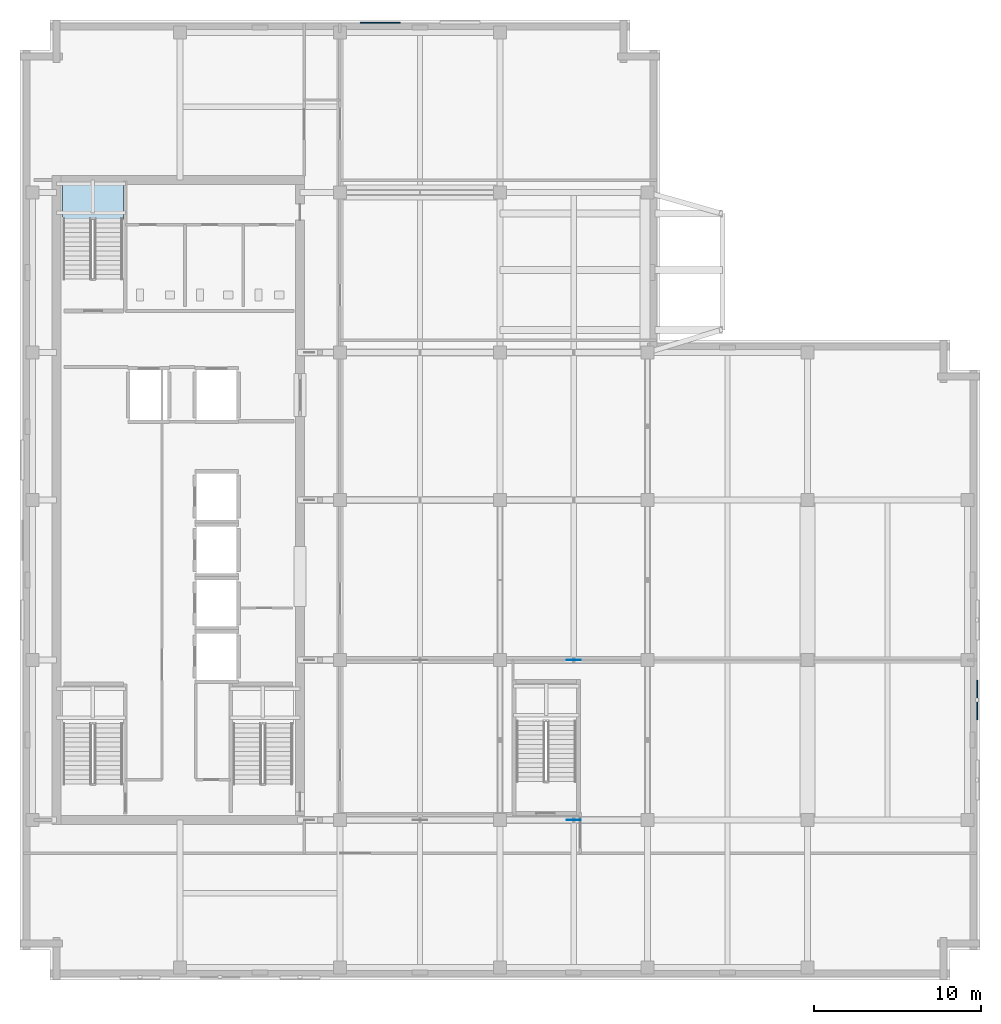
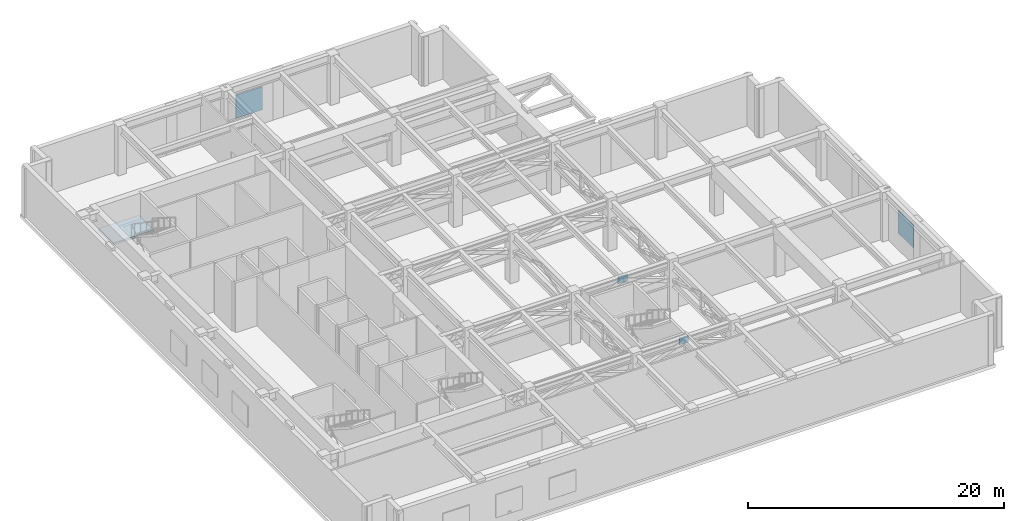
# One storey, part 10 of 19: 4 plates, 1 slab, 1 element without a shape of its own.
"""IFC4 building model written with IfcOpenShell, lengths in metres."""

from ifc_helpers import new_model, si_unit, direction, frame, origin, origin_2d, place, context, subcontext, project, spatial, polyline, rectangle, outline, extrude, material, layer, layer_set, type_object, element, aggregate, save


model = new_model("IFC4")

# Units and contexts
model_context = context("Model", 3, precision=1e-05, world=origin(), true_north=direction((0.0, 1.0)))
body_context = subcontext(model_context, "Body", "Model", "MODEL_VIEW")
ifc_project = project(units=[si_unit("LENGTHUNIT", "METRE"), si_unit("AREAUNIT", "SQUARE_METRE"), si_unit("VOLUMEUNIT", "CUBIC_METRE"), si_unit("PLANEANGLEUNIT", "RADIAN"), si_unit("MASSUNIT", "GRAM", prefix="KILO")], contexts=[model_context])

# Site, building, storey
site_placement = place(None, origin())
site = spatial("IfcSite", under=ifc_project, at=site_placement, CompositionType="ELEMENT")
building_placement = place(site_placement, origin())
building = spatial("IfcBuilding", under=site, at=building_placement, Name="Norrvale University Quadrangle", CompositionType="ELEMENT")
storey_placement = place(building_placement, frame((0.0, 0.0, 256.0)))
storey = spatial("IfcBuildingStorey", under=building, at=storey_placement, Name="L65", CompositionType="ELEMENT", Elevation=256.0)

# Plates
ifc_material_1 = material(Name="Perforated Acoustic Aluminium Screen", Category="aluminium")
ifc_layer_1 = layer(ifc_material_1, 0.06005859375, Name="Perforated Acoustic Aluminium Screen")
ifc_layer_set_1 = layer_set([ifc_layer_1], Name="Perforated Acoustic Aluminium Screen")
plate_type_1 = type_object("IfcPlateType", Name="Plate Crown Screen 60", PredefinedType="USERDEFINED", material=ifc_layer_set_1)
for number, where, z_axis, x_axis, name in (
    (1, (57.43994140625, 16.800048828125, 1.0), (0.0, 0.0, 1.0), (0.0, 1.0, 0.0), "Acoustic Louvered Crown Screen 010"),
    (2, (21.60009765625, 57.43994140625, 1.0), (0.0, 0.0, 1.0), (-1.0, 0.0, 0.0), "Acoustic Louvered Crown Screen 011"),
):
    element("IfcPlate", number, at=place(storey_placement, frame(where, z_axis=z_axis, x_axis=x_axis)), inside=storey, type_object=plate_type_1, Name=name, ObjectType="CROWN SCREEN", PredefinedType="USERDEFINED", context=body_context, shape_type="SweptSolid", body=[
        extrude(rectangle(XDim=2.39990234375, YDim=0.06005859375, at=origin_2d()), origin(), (0.0, 0.0, 1.0), 2.199951171875),
    ])
ifc_material_2 = material(Name="Steel 350W", Category="steel")
ifc_layer_2 = layer(ifc_material_2, 0.02490234375, Name="Steel 350W")
ifc_layer_set_2 = layer_set([ifc_layer_2], Name="Steel 350W")
plate_type_2 = type_object("IfcPlateType", Name="Plate Gusset 25", PredefinedType="USERDEFINED", material=ifc_layer_set_2)
for number, where, z_axis, x_axis, name in (
    (3, (33.22509765625, 9.60009765625, 4.06494140625), (0.0, 0.0, 1.0), (1.0, 0.0, 0.0), "Outrigger Truss Gusset Plate 36"),
    (4, (33.22509765625, 19.199951171875, 4.06494140625), (0.0, 0.0, 1.0), (1.0, 0.0, 0.0), "Outrigger Truss Gusset Plate 40"),
):
    element("IfcPlate", number, at=place(storey_placement, frame(where, z_axis=z_axis, x_axis=x_axis)), inside=storey, type_object=plate_type_2, Name=name, ObjectType="GUSSET_PLATE", PredefinedType="USERDEFINED", context=body_context, shape_type="SweptSolid", body=[
        extrude(rectangle(XDim=0.85009765625, YDim=0.02490234375, at=origin_2d()), origin(), (0.0, 0.0, 1.0), 0.64990234375),
    ])

# Stair, slab
ifc_material_3 = material(Name="Concrete C40/50", Category="concrete")
stair_type = type_object("IfcStairType", Name="Stair Tower Plant 5000", PredefinedType="TWO_STRAIGHT_RUN_STAIR", material=ifc_material_3)
stair_placement = place(storey_placement, origin())
stair = element("IfcStair", 5, at=stair_placement, inside=storey, type_object=stair_type, Name="Exit Stair ST-02 L65", PredefinedType="TWO_STRAIGHT_RUN_STAIR")
ifc_layer_3 = layer(ifc_material_3, 0.199951171875, Name="Concrete C40/50")
ifc_layer_set_3 = layer_set([ifc_layer_3], Name="Concrete C40/50")
slab_type = type_object("IfcSlabType", Name="Slab Landing 200", PredefinedType="LANDING", material=ifc_layer_set_3)
slab_placement = place(storey_placement, frame((0.0, 0.0, 2.300048828125)))
slab = element("IfcSlab", 6, at=slab_placement, type_object=slab_type, Name="Exit Stair ST-02 L65 Mid Landing", PredefinedType="LANDING", context=body_context, shape_type="SweptSolid", body=[
    extrude(outline(polyline([(2.550048828125, 45.6298828125), (6.199951171875, 45.6298828125), (6.199951171875, 47.949951171875), (2.550048828125, 47.949951171875), (2.550048828125, 45.6298828125)])), origin(), (0.0, 0.0, 1.0), 0.199951171875),
])
aggregate(stair, [slab])

save(model, "model.ifc")
